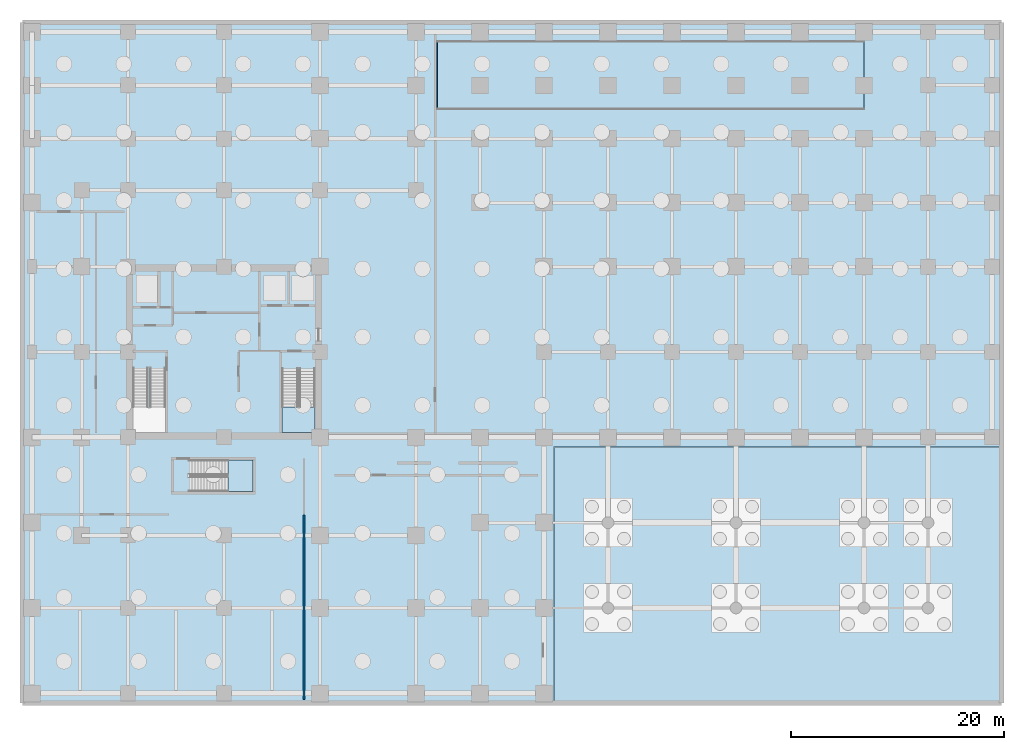
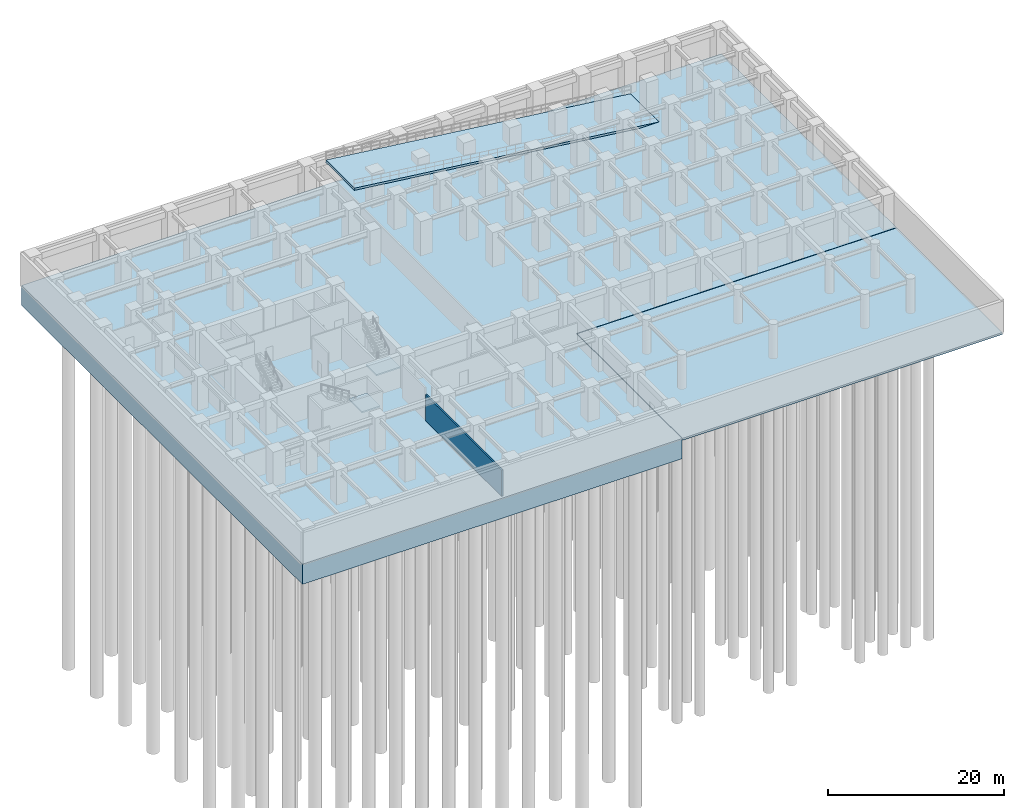
# One storey, part 4 of 11: 5 slabs, 1 wall, 2 elements without a shape of their own.
"""IFC4 building model written with IfcOpenShell, lengths in metres."""

import ifcopenshell
import ifcopenshell.guid

model = None  # the IFC model being written
_history = None  # IfcOwnerHistory: only IFC2X3 demands one
_inside = {}  # id of a spatial element -> (the spatial element, [elements in it])
_under = {}  # id of a project, library or spatial element -> (it, [spatial elements below it])
_declared = {}  # id of a project -> (the project, [libraries it declares])
_typed = {}  # id of a type object -> (the type object, [elements of that type])
_made_of = {}  # id of a material, layer set ... -> (it, [elements and type objects made of it])


def new_model(schema):
    """Start an empty IFC model of exactly this schema.

    Asked for "IFC4X3", IfcOpenShell would pick the latest addendum, in which some entities
    have other attributes; the version numbers below select the first issue.
    IFC2X3 requires an IfcOwnerHistory on every rooted entity: one is made here for all.
    """
    global model, _history
    if schema == "IFC4X3":
        model = ifcopenshell.file(schema_version=(4, 3, 0, 0))
    else:
        model = ifcopenshell.file(schema=schema)
    _inside.clear()
    _under.clear()
    _declared.clear()
    _typed.clear()
    _made_of.clear()
    _history = None
    if model.schema == "IFC2X3":
        org = make("IfcOrganization", Name="unknown")
        user = make(
            "IfcPersonAndOrganization",
            ThePerson=make("IfcPerson", FamilyName="unknown"),
            TheOrganization=org,
        )
        app = make(
            "IfcApplication",
            ApplicationDeveloper=org,
            Version="unknown",
            ApplicationFullName="unknown",
            ApplicationIdentifier="unknown",
        )
        _history = make(
            "IfcOwnerHistory",
            OwningUser=user,
            OwningApplication=app,
            ChangeAction="ADDED",
            CreationDate=0,
        )
    return model


def make(cls, **values):
    """One entity of the class cls with the attributes given. An attribute that is None is left unset."""
    return model.create_entity(
        cls, **{name: value for name, value in values.items() if value is not None}
    )


def rooted(cls, **values):
    """An entity with a GlobalId (a new one), such as an element, a storey or a relation."""
    return make(cls, GlobalId=ifcopenshell.guid.new(), OwnerHistory=_history, **values)


def si_unit(unit_type, name, prefix=None):
    """IfcSIUnit, for example si_unit("LENGTHUNIT", "METRE", prefix="MILLI")."""
    return make("IfcSIUnit", UnitType=unit_type, Prefix=prefix, Name=name)


def assignment(units):
    """IfcUnitAssignment: the units of a project."""
    return None if units is None else make("IfcUnitAssignment", Units=units)


def point(xyz):
    """IfcCartesianPoint."""
    return None if xyz is None else make("IfcCartesianPoint", Coordinates=xyz)


def direction(xyz):
    """IfcDirection."""
    return None if xyz is None else make("IfcDirection", DirectionRatios=xyz)


def frame(location, z_axis=None, x_axis=None):
    """IfcAxis2Placement3D, a coordinate frame: its origin and axes. An axis left out is left unset."""
    return make(
        "IfcAxis2Placement3D",
        Location=point(location),
        Axis=direction(z_axis),
        RefDirection=direction(x_axis),
    )


def frame_2d(location, x_axis=None):
    """IfcAxis2Placement2D, a coordinate frame in the plane: its origin and x axis."""
    return make(
        "IfcAxis2Placement2D", Location=point(location), RefDirection=direction(x_axis)
    )


def origin():
    """The frame at (0, 0, 0) with its axes left unset."""
    return frame((0.0, 0.0, 0.0))


def place(relative_to, where):
    """IfcLocalPlacement: puts the frame where relative to a parent placement (None: the world)."""
    return make(
        "IfcLocalPlacement", PlacementRelTo=relative_to, RelativePlacement=where
    )


def context(
    kind, dimensions, precision=None, world=None, true_north=None, identifier=None
):
    """IfcGeometricRepresentationContext, for example the 3D "Model" context."""
    return make(
        "IfcGeometricRepresentationContext",
        ContextIdentifier=identifier,
        ContextType=kind,
        CoordinateSpaceDimension=dimensions,
        Precision=precision,
        WorldCoordinateSystem=world,
        TrueNorth=true_north,
    )


def subcontext(parent, identifier, kind, view, scale=None):
    """IfcGeometricRepresentationSubContext, for example "Body" below "Model"."""
    return make(
        "IfcGeometricRepresentationSubContext",
        ContextIdentifier=identifier,
        ContextType=kind,
        ParentContext=parent,
        TargetScale=scale,
        TargetView=view,
    )


def project(units=None, contexts=None):
    """IfcProject with its units and contexts."""
    return rooted(
        "IfcProject",
        Name="project",
        RepresentationContexts=contexts,
        UnitsInContext=assignment(units),
    )


def spatial(cls, under=None, at=None, **own):
    """A site, building, storey or space (cls), placed at a placement, below another one or the project."""
    s = rooted(cls, ObjectPlacement=at, **own)
    if under is not None:
        _under.setdefault(under.id(), (under, []))[1].append(s)
    return s


def polyline(points):
    """IfcPolyline through the points."""
    return make("IfcPolyline", Points=[point(p) for p in points])


def profile(cls, at=None, kind="AREA", **sizes):
    """A parametric profile (cls). Its sizes go by their IFC names, for example OverallWidth=200.0."""
    return make(cls, ProfileType=kind, Position=at, **sizes)


def rectangle(**sizes):
    """IfcRectangleProfileDef."""
    return profile("IfcRectangleProfileDef", **sizes)


def outline(outer, holes=None, kind="AREA"):
    """IfcArbitraryClosedProfileDef: a profile drawn as a closed curve; with holes, ...WithVoids."""
    if holes is None:
        return make("IfcArbitraryClosedProfileDef", ProfileType=kind, OuterCurve=outer)
    return make(
        "IfcArbitraryProfileDefWithVoids",
        ProfileType=kind,
        OuterCurve=outer,
        InnerCurves=holes,
    )


def extrude(swept, where, along, depth):
    """IfcExtrudedAreaSolid: the profile swept, set in the frame where, extruded along a direction by depth."""
    return make(
        "IfcExtrudedAreaSolid",
        SweptArea=swept,
        Position=where,
        ExtrudedDirection=direction(along),
        Depth=depth,
    )


def clip(a, b, op="DIFFERENCE"):
    """IfcBooleanClippingResult: the solid a cut by the half space b."""
    return make(
        "IfcBooleanClippingResult", Operator=op, FirstOperand=a, SecondOperand=b
    )


def halfspace(plane, agree):
    """IfcHalfSpaceSolid: all space on one side of the plane z = 0 of the frame plane."""
    return make(
        "IfcHalfSpaceSolid",
        BaseSurface=make("IfcPlane", Position=plane),
        AgreementFlag=agree,
    )


def shape(context_of_items, identifier, shape_type, items):
    """IfcShapeRepresentation: the items that make up one representation, for example the "Body"."""
    return make(
        "IfcShapeRepresentation",
        ContextOfItems=context_of_items,
        RepresentationIdentifier=identifier,
        RepresentationType=shape_type,
        Items=items,
    )


def material(Name=None, Category=None):
    """IfcMaterial."""
    return make("IfcMaterial", Name=Name, Category=Category)


def layer(
    of_material, thickness, ventilated=None, Name=None, Category=None, Priority=None
):
    """IfcMaterialLayer: one layer of a wall or slab, of a material (None: an air gap)."""
    return make(
        "IfcMaterialLayer",
        Material=of_material,
        LayerThickness=thickness,
        IsVentilated=ventilated,
        Name=Name,
        Category=Category,
        Priority=Priority,
    )


def layer_set(layers, Name=None):
    """IfcMaterialLayerSet."""
    return make("IfcMaterialLayerSet", MaterialLayers=layers, LayerSetName=Name)


def made_of(thing, what):
    """Note that an element or type object is made of a material, layer set ...; save() writes the relation."""
    if what is not None:
        _made_of.setdefault(what.id(), (what, []))[1].append(thing)
    return thing


def type_object(cls, material=None, **own):
    """A type object (cls), such as IfcWallType, which elements share."""
    return made_of(rooted(cls, **own), material)


def element(
    cls,
    number,
    at=None,
    inside=None,
    cuts=None,
    type_object=None,
    material=None,
    context=None,
    identifier="Body",
    shape_type=None,
    held_by="IfcProductDefinitionShape",
    body=None,
    shapes=None,
    **own,
):
    """One element of the class cls, such as IfcWall. Its Tag is "e" and its number.

    at: its placement. inside: the storey or other place that contains it. cuts: it is an
    opening in that element (IfcRelVoidsElement). A single representation is given by context,
    identifier, shape_type and body (its items); several are given by shapes. held_by: the class
    of the entity that holds the representations. save() writes the other relations.
    """
    e = rooted(cls, Tag="e%d" % number, ObjectPlacement=at, **own)
    if body is not None:
        shapes = [shape(context, identifier, shape_type, body)]
    if shapes is not None:
        e.Representation = make(held_by, Representations=shapes)
    if inside is not None:
        _inside.setdefault(inside.id(), (inside, []))[1].append(e)
    if cuts is not None:
        rooted(
            "IfcRelVoidsElement", RelatingBuildingElement=cuts, RelatedOpeningElement=e
        )
    if type_object is not None:
        _typed.setdefault(type_object.id(), (type_object, []))[1].append(e)
    return made_of(e, material)


def aggregate(whole, parts):
    """IfcRelAggregates: a whole, such as a stair, and the parts it consists of."""
    return rooted("IfcRelAggregates", RelatingObject=whole, RelatedObjects=parts)


def save(model, path):
    """Write the relations noted so far, then the file.

    IfcRelAggregates (storeys below a building ...), IfcRelContainedInSpatialStructure (elements
    in a storey), IfcRelDefinesByType, IfcRelAssociatesMaterial and IfcRelDeclares: one each for
    every whole, place, type object, material and project.
    """
    for whole, parts in _under.values():
        aggregate(whole, parts)
    for where, things in _inside.values():
        rooted(
            "IfcRelContainedInSpatialStructure",
            RelatedElements=things,
            RelatingStructure=where,
        )
    for kind, things in _typed.values():
        rooted("IfcRelDefinesByType", RelatedObjects=things, RelatingType=kind)
    for what, things in _made_of.values():
        rooted("IfcRelAssociatesMaterial", RelatedObjects=things, RelatingMaterial=what)
    for by, libraries in _declared.values():
        rooted("IfcRelDeclares", RelatingContext=by, RelatedDefinitions=libraries)
    model.write(path)


model = new_model("IFC4")

# Units and contexts
model_context = context("Model", 3, precision=1e-05, world=origin(), true_north=direction((0.0, 1.0)))
body_context = subcontext(model_context, "Body", "Model", "MODEL_VIEW")
ifc_project = project(units=[si_unit("LENGTHUNIT", "METRE"), si_unit("AREAUNIT", "SQUARE_METRE"), si_unit("VOLUMEUNIT", "CUBIC_METRE"), si_unit("PLANEANGLEUNIT", "RADIAN"), si_unit("MASSUNIT", "GRAM", prefix="KILO")], contexts=[model_context])

# Site, building, storey
site_placement = place(None, origin())
site = spatial("IfcSite", under=ifc_project, at=site_placement, CompositionType="ELEMENT")
building_placement = place(site_placement, origin())
building = spatial("IfcBuilding", under=site, at=building_placement, Name="Torre Montelarca", CompositionType="ELEMENT")
storey_placement = place(building_placement, frame((0.0, 0.0, -9.60009765625)))
storey = spatial("IfcBuildingStorey", under=building, at=storey_placement, Name="B2", CompositionType="ELEMENT", Elevation=-9.60009765625)

# Slabs
ifc_material_1 = material(Name="Concrete C40/50", Category="concrete")
ifc_layer_1 = layer(ifc_material_1, 0.280029296875, Name="Concrete C40/50", Category="concrete")
ifc_layer_set_1 = layer_set([ifc_layer_1], Name="Concrete C40/50")
slab_type_1 = type_object("IfcSlabType", Name="SL-FLR-280", PredefinedType="FLOOR", material=ifc_layer_set_1)
slab_1_placement = place(storey_placement, frame((0.0, 0.0, -0.27978515625)))
element("IfcSlab", 1, at=slab_1_placement, inside=storey, type_object=slab_type_1, Name="B2 Subterranean Plaza Chamber Floor Slab", PredefinedType="FLOOR", context=body_context, shape_type="SweptSolid", body=[
    extrude(outline(polyline([(48.949951171875, -0.89990234375), (90.89990234375, -0.89990234375), (90.89990234375, 23.050048828125), (48.949951171875, 23.050048828125), (48.949951171875, -0.89990234375)])), origin(), (0.0, 0.0, 1.0), 0.27978515625),
])
ifc_layer_2 = layer(ifc_material_1, 2.800048828125, Name="Concrete C40/50", Category="concrete")
ifc_layer_set_2 = layer_set([ifc_layer_2], Name="Concrete C40/50")
slab_type_2 = type_object("IfcSlabType", Name="SL-RAFT-2800", PredefinedType="BASESLAB", material=ifc_layer_set_2)
slab_2_placement = place(storey_placement, frame((0.0, 0.0, -2.7998046875)))
element("IfcSlab", 2, at=slab_2_placement, inside=storey, type_object=slab_type_2, Name="B2 Piled Raft Foundation Slab", PredefinedType="BASESLAB", context=body_context, shape_type="SweptSolid", body=[
    extrude(outline(polyline([(-0.89990234375, -0.89990234375), (48.89990234375, -0.89990234375), (48.89990234375, 23.10009765625), (90.89990234375, 23.10009765625), (90.89990234375, 62.89990234375), (-0.89990234375, 62.89990234375), (-0.89990234375, -0.89990234375)])), origin(), (0.0, 0.0, 1.0), 2.7998046875),
])

# Stair, slab
stair_type_1 = type_object("IfcStairType", Name="ST-CORE-ST2", PredefinedType="HALF_TURN_STAIR", material=ifc_material_1)
stair_1_placement = place(storey_placement, origin())
stair_1 = element("IfcStair", 3, at=stair_1_placement, inside=storey, type_object=stair_type_1, Name="B2 Protected Exit Stair ST2", PredefinedType="HALF_TURN_STAIR")
ifc_layer_3 = layer(ifc_material_1, 0.199951171875, Name="Concrete C40/50", Category="concrete")
ifc_layer_set_3 = layer_set([ifc_layer_3], Name="Concrete C40/50")
slab_type_3 = type_object("IfcSlabType", Name="SL-ST-LAND-ST2", PredefinedType="LANDING", material=ifc_layer_set_3)
slab_3_placement = place(storey_placement, frame((0.0, 0.0, 2.2001953125)))
slab_3 = element("IfcSlab", 4, at=slab_3_placement, type_object=slab_type_3, Name="ST2 landing 1", PredefinedType="LANDING", context=body_context, shape_type="SweptSolid", body=[
    extrude(outline(polyline([(23.43994140625, 26.830078125), (23.43994140625, 24.449951171875), (26.550048828125, 24.449951171875), (26.550048828125, 26.830078125), (23.43994140625, 26.830078125)])), origin(), (0.0, 0.0, 1.0), 0.199951171875),
])
aggregate(stair_1, [slab_3])

stair_type_2 = type_object("IfcStairType", Name="ST-CORE-ST3", PredefinedType="HALF_TURN_STAIR", material=ifc_material_1)
stair_2_placement = place(storey_placement, origin())
stair_2 = element("IfcStair", 5, at=stair_2_placement, inside=storey, type_object=stair_type_2, Name="B2 Low-Rise Exit Stair ST3", PredefinedType="HALF_TURN_STAIR")
ifc_layer_4 = layer(ifc_material_1, 0.199951171875, Name="Concrete C40/50", Category="concrete")
ifc_layer_set_4 = layer_set([ifc_layer_4], Name="Concrete C40/50")
slab_type_4 = type_object("IfcSlabType", Name="SL-ST-LAND-ST3", PredefinedType="LANDING", material=ifc_layer_set_4)
slab_4_placement = place(storey_placement, frame((0.0, 0.0, 2.2001953125)))
slab_4 = element("IfcSlab", 6, at=slab_4_placement, type_object=slab_type_4, Name="ST3 landing 1", PredefinedType="LANDING", context=body_context, shape_type="SweptSolid", body=[
    extrude(outline(polyline([(18.360107421875, 18.89990234375), (20.699951171875, 18.89990234375), (20.699951171875, 21.889892578125), (18.360107421875, 21.889892578125), (18.360107421875, 18.89990234375)])), origin(), (0.0, 0.0, 1.0), 0.199951171875),
])
aggregate(stair_2, [slab_4])

# Slab
ifc_layer_5 = layer(ifc_material_1, 0.300048828125, Name="Concrete C40/50", Category="concrete")
ifc_layer_set_5 = layer_set([ifc_layer_5], Name="Concrete C40/50")
slab_type_5 = type_object("IfcSlabType", Name="SL-VRAMP-300", PredefinedType="FLOOR", material=ifc_layer_set_5)
slab_5_placement = place(storey_placement, frame((77.97998046875, 54.719970703125, 0.0), z_axis=(0.119264100442, 0.0, 0.992862565689), x_axis=(-0.992862565689, 0.0, 0.119264100442)))
element("IfcSlab", 7, at=slab_5_placement, inside=storey, type_object=slab_type_5, Name="Basement Car Park Vehicle Ramp R1", PredefinedType="FLOOR", context=body_context, shape_type="Clipping", body=[
    clip(extrude(outline(polyline([(0.0, 0.0), (40.247222846786705, 0.0), (40.247222846786705, -6.4599609375), (0.0, -6.4599609375), (0.0, 0.0)])), origin(), (0.0, 0.0, -1.0), 0.300048828125), halfspace(frame((0.0, 0.0, 0.0), z_axis=(-0.119264100442, 0.0, -0.992862565689), x_axis=(-0.992862565689, 0.0, 0.119264100442)), False)),
])

# Wall
ifc_material_2 = material(Name="Gypsum fireboard and rockwool on steel stud", Category="steel")
ifc_layer_6 = layer(ifc_material_2, 0.199951171875, Name="Gypsum fireboard and rockwool on steel stud", Category="steel")
ifc_layer_set_6 = layer_set([ifc_layer_6], Name="Gypsum fireboard and rockwool on steel stud")
wall_type = type_object("IfcWallType", Name="PW-FIRE-200", PredefinedType="SOLIDWALL", material=ifc_layer_set_6)
wall_placement = place(storey_placement, frame((25.5, -0.56005859375, 0.0), z_axis=(0.0, 0.0, 1.0), x_axis=(0.0, 1.0, 0.0)))
element("IfcWall", 8, at=wall_placement, inside=storey, type_object=wall_type, Name="B2 Interior Partition W-B2-PSW", PredefinedType="SOLIDWALL", context=body_context, shape_type="SweptSolid", body=[
    extrude(rectangle(XDim=17.27001953125, YDim=0.199951171875, at=frame_2d((8.635009765625, 0.0))), origin(), (0.0, 0.0, 1.0), 3.649658203125),
])

save(model, "model.ifc")
